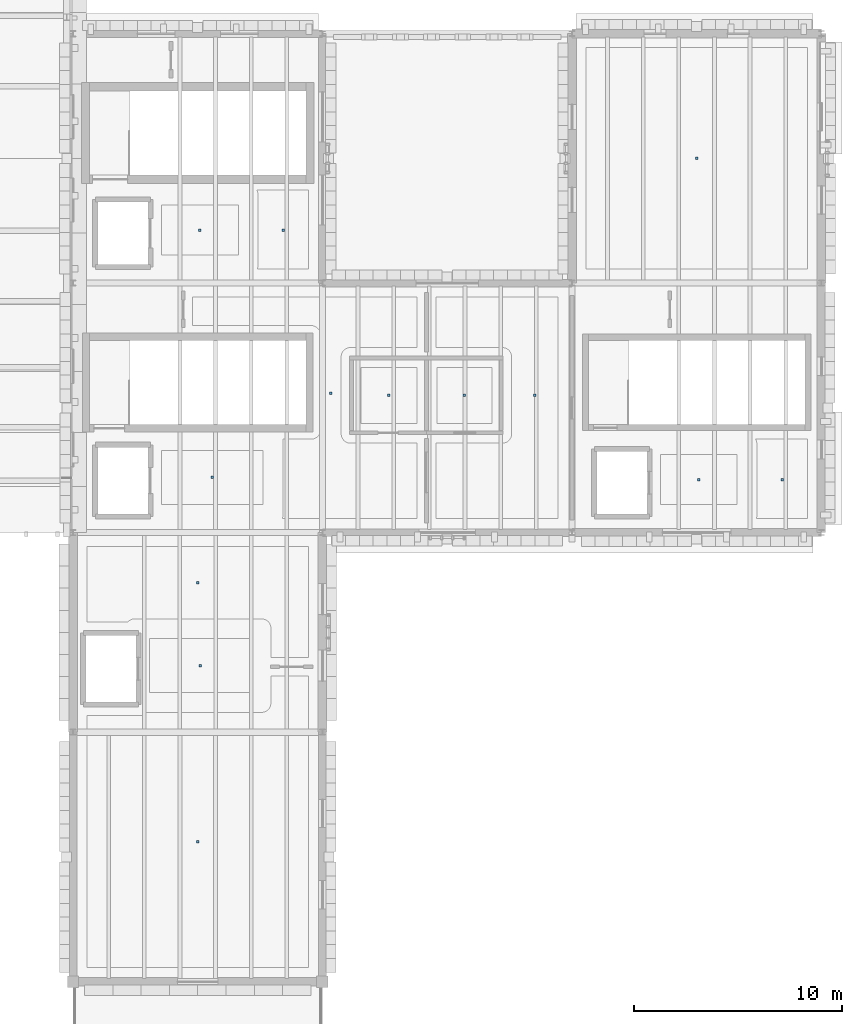
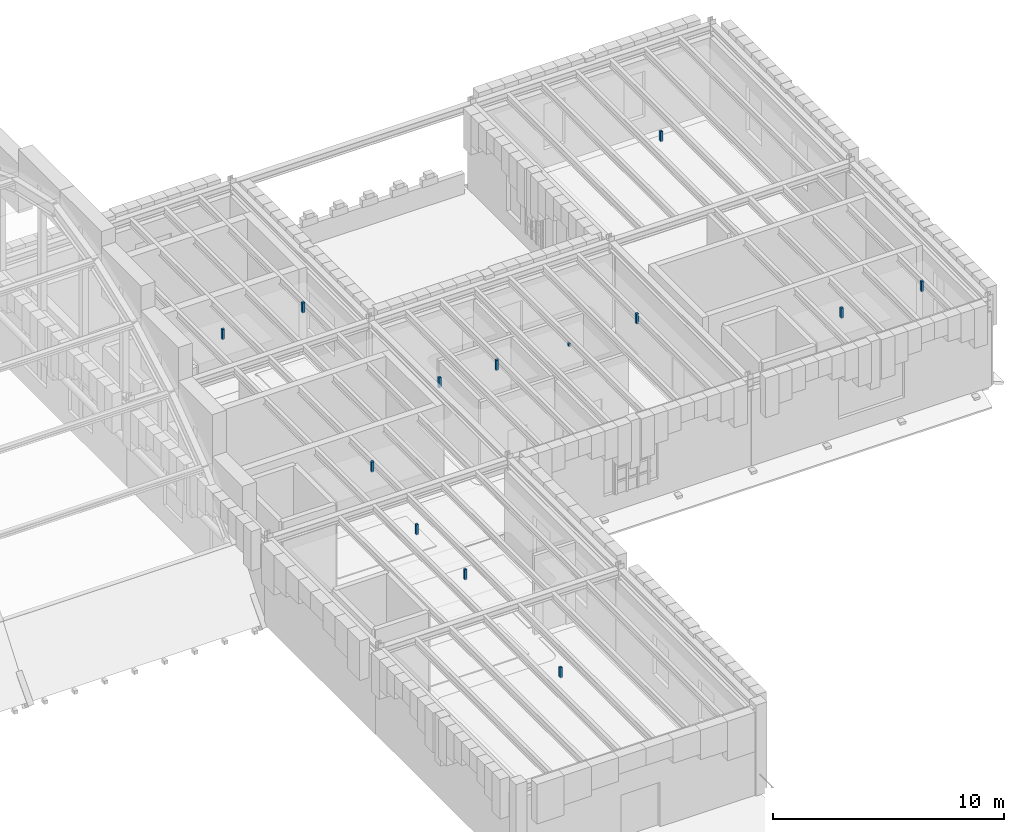
# One storey, part 25 of 35: 13 discrete accessories.
"""IFC4 building model written with IfcOpenShell, lengths in metres."""

from ifc_helpers import new_model, si_unit, direction, frame, origin, origin_2d, place, context, subcontext, project, spatial, rectangle, extrude, material, type_object, element, save


model = new_model("IFC4")

# Units and contexts
model_context = context("Model", 3, precision=1e-05, world=origin(), true_north=direction((0.0, 1.0)))
body_context = subcontext(model_context, "Body", "Model", "MODEL_VIEW")
ifc_project = project(units=[si_unit("LENGTHUNIT", "METRE"), si_unit("AREAUNIT", "SQUARE_METRE"), si_unit("VOLUMEUNIT", "CUBIC_METRE"), si_unit("PLANEANGLEUNIT", "RADIAN"), si_unit("MASSUNIT", "GRAM", prefix="KILO")], contexts=[model_context])

# Site, building, storey
site_placement = place(None, origin())
site = spatial("IfcSite", under=ifc_project, at=site_placement, CompositionType="ELEMENT")
building_placement = place(site_placement, origin())
building = spatial("IfcBuilding", under=site, at=building_placement, Name="Zlatogorsky Bluff Art Gallery", CompositionType="ELEMENT")
storey_placement = place(building_placement, frame((0.0, 0.0, 23.39990234375)))
storey = spatial("IfcBuildingStorey", under=building, at=storey_placement, Name="L04", CompositionType="ELEMENT", Elevation=23.39990234375)

# Discrete accessories
ifc_material = material(Name="Steel S355", Category="steel")
discrete_accessory_type = type_object("IfcDiscreteAccessoryType", Name="Stainless Facade Fin Bracket BRK-01", PredefinedType="BRACKET", material=ifc_material)
for number, where, z_axis, x_axis, name in (
    (1, (126.1201171875, 77.60009765625, 4.05517578125), (0.0, 0.0, 1.0), (1.0, 0.0, 0.0), "Acoustic ceiling suspension hanger L04-FL-1-LB"),
    (2, (126.699951171875, 86.64990234375, 4.05517578125), (0.0, 0.0, 1.0), (1.0, 0.0, 0.0), "Acoustic ceiling suspension hanger L04-FL-2-LB"),
    (3, (126.10009765625, 98.550048828125, 4.05517578125), (0.0, 0.0, 1.0), (1.0, 0.0, 0.0), "Acoustic ceiling suspension hanger L04-PL-1-LB"),
    (4, (150.10009765625, 86.550048828125, 4.05517578125), (0.0, 0.0, 1.0), (1.0, 0.0, 0.0), "Acoustic ceiling suspension hanger L04-PL-2-LB"),
    (5, (135.199951171875, 90.60009765625, 4.05517578125), (0.0, 0.0, 1.0), (1.0, 0.0, 0.0), "Acoustic ceiling suspension hanger L04-WC"),
):
    element("IfcDiscreteAccessory", number, at=place(storey_placement, frame(where, z_axis=z_axis, x_axis=x_axis)), inside=storey, type_object=discrete_accessory_type, Name=name, PredefinedType="BRACKET", context=body_context, shape_type="SweptSolid", body=[
        extrude(rectangle(XDim=0.1201171875, YDim=0.1201171875, at=origin_2d()), origin(), (0.0, 0.0, 1.0), 0.530029296875),
    ])
discrete_accessory_placement = place(storey_placement, frame((138.824951171875, 90.60009765625, 4.05517578125), z_axis=(0.0, 0.0, 1.0), x_axis=(1.0, 0.0, 0.0)))
element("IfcDiscreteAccessory", 6, at=discrete_accessory_placement, inside=storey, type_object=discrete_accessory_type, Name="Acoustic ceiling suspension hanger L04-AWC", PredefinedType="BRACKET", context=body_context, shape_type="SweptSolid", body=[
    extrude(rectangle(XDim=0.1201171875, YDim=0.1201171875, at=origin_2d()), origin(), (0.0, 0.0, 1.0), 0.1298828125),
])
for number, where, z_axis, x_axis, name in (
    (7, (126.0, 69.135009765625, 4.05517578125), (0.0, 0.0, 1.0), (1.0, 0.0, 0.0), "Acoustic ceiling suspension hanger L04-SL-11"),
    (8, (126.0, 81.590087890625, 4.05517578125), (0.0, 0.0, 1.0), (1.0, 0.0, 0.0), "Acoustic ceiling suspension hanger L04-SL-12"),
    (9, (132.405029296875, 90.699462890625, 4.05517578125), (0.0, 0.0, 1.0), (1.0, 0.0, 0.0), "Acoustic ceiling suspension hanger L04-IM-12"),
    (10, (142.215087890625, 90.60009765625, 4.05517578125), (0.0, 0.0, 1.0), (1.0, 0.0, 0.0), "Acoustic ceiling suspension hanger L04-IM-13"),
    (11, (154.114990234375, 86.550048828125, 4.05517578125), (0.0, 0.0, 1.0), (1.0, 0.0, 0.0), "Acoustic ceiling suspension hanger L04-SY-12"),
    (12, (130.114990234375, 98.550048828125, 4.05517578125), (0.0, 0.0, 1.0), (1.0, 0.0, 0.0), "Acoustic ceiling suspension hanger L04-LB1-12"),
    (13, (150.0, 102.0, 4.05517578125), (0.0, 0.0, 1.0), (1.0, 0.0, 0.0), "Acoustic ceiling suspension hanger L04-LB2"),
):
    element("IfcDiscreteAccessory", number, at=place(storey_placement, frame(where, z_axis=z_axis, x_axis=x_axis)), inside=storey, type_object=discrete_accessory_type, Name=name, PredefinedType="BRACKET", context=body_context, shape_type="SweptSolid", body=[
        extrude(rectangle(XDim=0.1201171875, YDim=0.1201171875, at=origin_2d()), origin(), (0.0, 0.0, 1.0), 0.530029296875),
    ])

save(model, "model.ifc")
